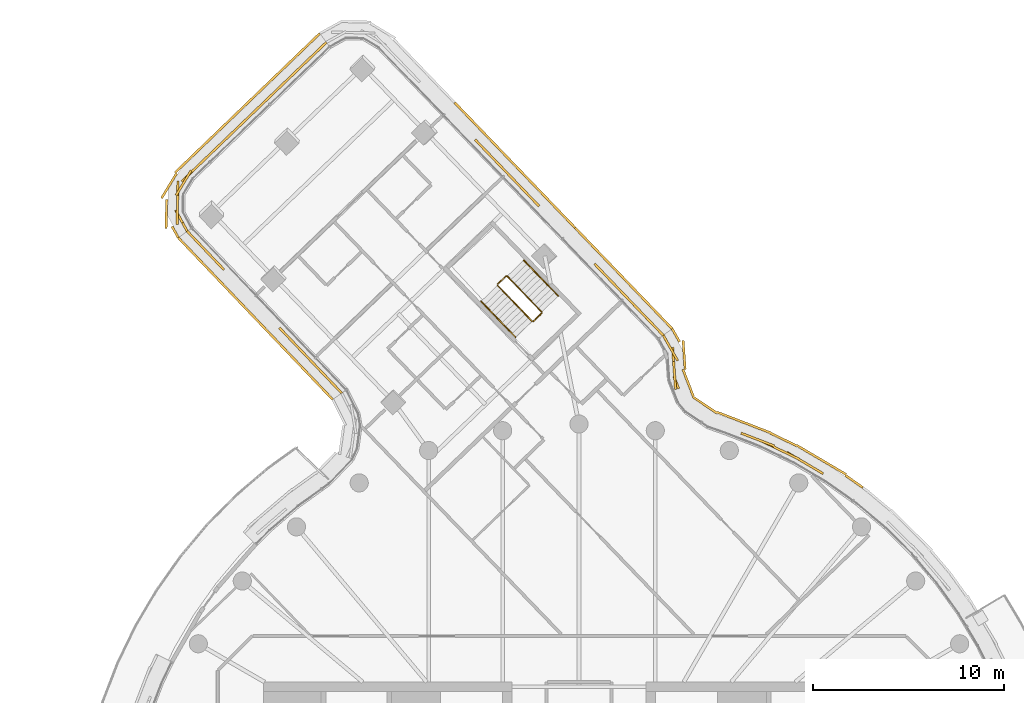
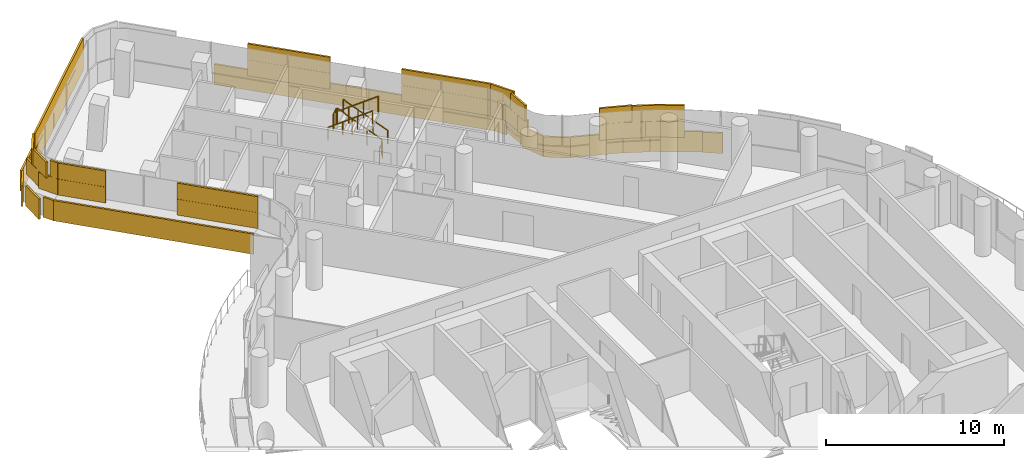
# One storey, part 32 of 34: 6 railings, 5 coverings.
"""IFC4 building model written with IfcOpenShell, lengths in metres."""

import ifcopenshell
import ifcopenshell.guid

model = None  # the IFC model being written
_history = None  # IfcOwnerHistory: only IFC2X3 demands one
_inside = {}  # id of a spatial element -> (the spatial element, [elements in it])
_under = {}  # id of a project, library or spatial element -> (it, [spatial elements below it])
_declared = {}  # id of a project -> (the project, [libraries it declares])
_typed = {}  # id of a type object -> (the type object, [elements of that type])
_made_of = {}  # id of a material, layer set ... -> (it, [elements and type objects made of it])


def new_model(schema):
    """Start an empty IFC model of exactly this schema.

    Asked for "IFC4X3", IfcOpenShell would pick the latest addendum, in which some entities
    have other attributes; the version numbers below select the first issue.
    IFC2X3 requires an IfcOwnerHistory on every rooted entity: one is made here for all.
    """
    global model, _history
    if schema == "IFC4X3":
        model = ifcopenshell.file(schema_version=(4, 3, 0, 0))
    else:
        model = ifcopenshell.file(schema=schema)
    _inside.clear()
    _under.clear()
    _declared.clear()
    _typed.clear()
    _made_of.clear()
    _history = None
    if model.schema == "IFC2X3":
        org = make("IfcOrganization", Name="unknown")
        user = make(
            "IfcPersonAndOrganization",
            ThePerson=make("IfcPerson", FamilyName="unknown"),
            TheOrganization=org,
        )
        app = make(
            "IfcApplication",
            ApplicationDeveloper=org,
            Version="unknown",
            ApplicationFullName="unknown",
            ApplicationIdentifier="unknown",
        )
        _history = make(
            "IfcOwnerHistory",
            OwningUser=user,
            OwningApplication=app,
            ChangeAction="ADDED",
            CreationDate=0,
        )
    return model


def make(cls, **values):
    """One entity of the class cls with the attributes given. An attribute that is None is left unset."""
    return model.create_entity(
        cls, **{name: value for name, value in values.items() if value is not None}
    )


def rooted(cls, **values):
    """An entity with a GlobalId (a new one), such as an element, a storey or a relation."""
    return make(cls, GlobalId=ifcopenshell.guid.new(), OwnerHistory=_history, **values)


def si_unit(unit_type, name, prefix=None):
    """IfcSIUnit, for example si_unit("LENGTHUNIT", "METRE", prefix="MILLI")."""
    return make("IfcSIUnit", UnitType=unit_type, Prefix=prefix, Name=name)


def assignment(units):
    """IfcUnitAssignment: the units of a project."""
    return None if units is None else make("IfcUnitAssignment", Units=units)


def point(xyz):
    """IfcCartesianPoint."""
    return None if xyz is None else make("IfcCartesianPoint", Coordinates=xyz)


def direction(xyz):
    """IfcDirection."""
    return None if xyz is None else make("IfcDirection", DirectionRatios=xyz)


def frame(location, z_axis=None, x_axis=None):
    """IfcAxis2Placement3D, a coordinate frame: its origin and axes. An axis left out is left unset."""
    return make(
        "IfcAxis2Placement3D",
        Location=point(location),
        Axis=direction(z_axis),
        RefDirection=direction(x_axis),
    )


def frame_2d(location, x_axis=None):
    """IfcAxis2Placement2D, a coordinate frame in the plane: its origin and x axis."""
    return make(
        "IfcAxis2Placement2D", Location=point(location), RefDirection=direction(x_axis)
    )


def origin():
    """The frame at (0, 0, 0) with its axes left unset."""
    return frame((0.0, 0.0, 0.0))


def origin_2d():
    """The frame at (0, 0) in the plane with its x axis left unset."""
    return frame_2d((0.0, 0.0))


def place(relative_to, where):
    """IfcLocalPlacement: puts the frame where relative to a parent placement (None: the world)."""
    return make(
        "IfcLocalPlacement", PlacementRelTo=relative_to, RelativePlacement=where
    )


def context(
    kind, dimensions, precision=None, world=None, true_north=None, identifier=None
):
    """IfcGeometricRepresentationContext, for example the 3D "Model" context."""
    return make(
        "IfcGeometricRepresentationContext",
        ContextIdentifier=identifier,
        ContextType=kind,
        CoordinateSpaceDimension=dimensions,
        Precision=precision,
        WorldCoordinateSystem=world,
        TrueNorth=true_north,
    )


def subcontext(parent, identifier, kind, view, scale=None):
    """IfcGeometricRepresentationSubContext, for example "Body" below "Model"."""
    return make(
        "IfcGeometricRepresentationSubContext",
        ContextIdentifier=identifier,
        ContextType=kind,
        ParentContext=parent,
        TargetScale=scale,
        TargetView=view,
    )


def project(units=None, contexts=None):
    """IfcProject with its units and contexts."""
    return rooted(
        "IfcProject",
        Name="project",
        RepresentationContexts=contexts,
        UnitsInContext=assignment(units),
    )


def spatial(cls, under=None, at=None, **own):
    """A site, building, storey or space (cls), placed at a placement, below another one or the project."""
    s = rooted(cls, ObjectPlacement=at, **own)
    if under is not None:
        _under.setdefault(under.id(), (under, []))[1].append(s)
    return s


def profile(cls, at=None, kind="AREA", **sizes):
    """A parametric profile (cls). Its sizes go by their IFC names, for example OverallWidth=200.0."""
    return make(cls, ProfileType=kind, Position=at, **sizes)


def rectangle(**sizes):
    """IfcRectangleProfileDef."""
    return profile("IfcRectangleProfileDef", **sizes)


def circle(**sizes):
    """IfcCircleProfileDef."""
    return profile("IfcCircleProfileDef", **sizes)


def extrude(swept, where, along, depth):
    """IfcExtrudedAreaSolid: the profile swept, set in the frame where, extruded along a direction by depth."""
    return make(
        "IfcExtrudedAreaSolid",
        SweptArea=swept,
        Position=where,
        ExtrudedDirection=direction(along),
        Depth=depth,
    )


def shape(context_of_items, identifier, shape_type, items):
    """IfcShapeRepresentation: the items that make up one representation, for example the "Body"."""
    return make(
        "IfcShapeRepresentation",
        ContextOfItems=context_of_items,
        RepresentationIdentifier=identifier,
        RepresentationType=shape_type,
        Items=items,
    )


def material(Name=None, Category=None):
    """IfcMaterial."""
    return make("IfcMaterial", Name=Name, Category=Category)


def layer(
    of_material, thickness, ventilated=None, Name=None, Category=None, Priority=None
):
    """IfcMaterialLayer: one layer of a wall or slab, of a material (None: an air gap)."""
    return make(
        "IfcMaterialLayer",
        Material=of_material,
        LayerThickness=thickness,
        IsVentilated=ventilated,
        Name=Name,
        Category=Category,
        Priority=Priority,
    )


def layer_set(layers, Name=None):
    """IfcMaterialLayerSet."""
    return make("IfcMaterialLayerSet", MaterialLayers=layers, LayerSetName=Name)


def made_of(thing, what):
    """Note that an element or type object is made of a material, layer set ...; save() writes the relation."""
    if what is not None:
        _made_of.setdefault(what.id(), (what, []))[1].append(thing)
    return thing


def type_object(cls, material=None, **own):
    """A type object (cls), such as IfcWallType, which elements share."""
    return made_of(rooted(cls, **own), material)


def element(
    cls,
    number,
    at=None,
    inside=None,
    cuts=None,
    type_object=None,
    material=None,
    context=None,
    identifier="Body",
    shape_type=None,
    held_by="IfcProductDefinitionShape",
    body=None,
    shapes=None,
    **own,
):
    """One element of the class cls, such as IfcWall. Its Tag is "e" and its number.

    at: its placement. inside: the storey or other place that contains it. cuts: it is an
    opening in that element (IfcRelVoidsElement). A single representation is given by context,
    identifier, shape_type and body (its items); several are given by shapes. held_by: the class
    of the entity that holds the representations. save() writes the other relations.
    """
    e = rooted(cls, Tag="e%d" % number, ObjectPlacement=at, **own)
    if body is not None:
        shapes = [shape(context, identifier, shape_type, body)]
    if shapes is not None:
        e.Representation = make(held_by, Representations=shapes)
    if inside is not None:
        _inside.setdefault(inside.id(), (inside, []))[1].append(e)
    if cuts is not None:
        rooted(
            "IfcRelVoidsElement", RelatingBuildingElement=cuts, RelatedOpeningElement=e
        )
    if type_object is not None:
        _typed.setdefault(type_object.id(), (type_object, []))[1].append(e)
    return made_of(e, material)


def aggregate(whole, parts):
    """IfcRelAggregates: a whole, such as a stair, and the parts it consists of."""
    return rooted("IfcRelAggregates", RelatingObject=whole, RelatedObjects=parts)


def save(model, path):
    """Write the relations noted so far, then the file.

    IfcRelAggregates (storeys below a building ...), IfcRelContainedInSpatialStructure (elements
    in a storey), IfcRelDefinesByType, IfcRelAssociatesMaterial and IfcRelDeclares: one each for
    every whole, place, type object, material and project.
    """
    for whole, parts in _under.values():
        aggregate(whole, parts)
    for where, things in _inside.values():
        rooted(
            "IfcRelContainedInSpatialStructure",
            RelatedElements=things,
            RelatingStructure=where,
        )
    for kind, things in _typed.values():
        rooted("IfcRelDefinesByType", RelatedObjects=things, RelatingType=kind)
    for what, things in _made_of.values():
        rooted("IfcRelAssociatesMaterial", RelatedObjects=things, RelatingMaterial=what)
    for by, libraries in _declared.values():
        rooted("IfcRelDeclares", RelatingContext=by, RelatedDefinitions=libraries)
    model.write(path)


model = new_model("IFC4")

# Units and contexts
model_context = context("Model", 3, precision=1e-05, world=origin(), true_north=direction((0.0, 1.0)))
body_context = subcontext(model_context, "Body", "Model", "MODEL_VIEW")
ifc_project = project(units=[si_unit("LENGTHUNIT", "METRE"), si_unit("AREAUNIT", "SQUARE_METRE"), si_unit("VOLUMEUNIT", "CUBIC_METRE"), si_unit("PLANEANGLEUNIT", "RADIAN"), si_unit("MASSUNIT", "GRAM", prefix="KILO")], contexts=[model_context])

# Site, building, storey
site_placement = place(None, origin())
site = spatial("IfcSite", under=ifc_project, at=site_placement, CompositionType="ELEMENT")
building_placement = place(site_placement, origin())
building = spatial("IfcBuilding", under=site, at=building_placement, Name="Tamarind Cross Interchange Tower", CompositionType="ELEMENT")
storey_placement = place(building_placement, frame((0.0, 0.0, 193.300048828125)))
storey = spatial("IfcBuildingStorey", under=building, at=storey_placement, Name="L48", CompositionType="ELEMENT", Elevation=193.300048828125)

# Railings
ifc_material_1 = material(Name="Stair guard")
railing_type_1 = type_object("IfcRailingType", Name="Stair guard", PredefinedType="GUARDRAIL", material=ifc_material_1)
railing_1_placement = place(storey_placement, frame((-1.952392578125, 28.863037109375, 0.16357421875)))
element("IfcRailing", 1, at=railing_1_placement, inside=storey, type_object=railing_type_1, Name="L48 ST4 stair guard 1", PredefinedType="GUARDRAIL", context=body_context, shape_type="SweptSolid", body=[
    extrude(circle(Radius=0.02392578125, at=origin_2d()), frame((0.0, 0.0, 1.076171875), z_axis=(-0.586640057014, 0.610003938993, 0.532680615303), x_axis=(-0.720775322287, -0.693168763565, 0.0)), (0.0, 0.0, 1.0), 3.072265625),
    extrude(circle(Radius=0.02099609375, at=origin_2d()), origin(), (0.0, 0.0, 1.0), 1.052001953125),
    extrude(circle(Radius=0.02099609375, at=origin_2d()), frame((-0.600830078125, 0.624755859375, 0.54541015625)), (0.0, 0.0, 1.0), 1.052001953125),
    extrude(circle(Radius=0.02099609375, at=origin_2d()), frame((-1.201416015625, 1.249267578125, 1.091064453125)), (0.0, 0.0, 1.0), 1.052001953125),
    extrude(circle(Radius=0.02099609375, at=origin_2d()), frame((-1.80224609375, 1.8740234375, 1.636474609375)), (0.0, 0.0, 1.0), 1.052001953125),
])
railing_2_placement = place(storey_placement, frame((-3.825439453125, 30.73828125, 1.800048828125)))
element("IfcRailing", 2, at=railing_2_placement, inside=storey, type_object=railing_type_1, Name="L48 ST4 stair guard 2", PredefinedType="GUARDRAIL", context=body_context, shape_type="SweptSolid", body=[
    extrude(circle(Radius=0.02392578125, at=origin_2d()), frame((0.0, 0.0, 1.076171875), z_axis=(-0.720809601358, -0.693133117511, 0.0), x_axis=(0.693133117511, -0.720809601358, 0.0)), (0.0, 0.0, 1.0), 0.599853515625),
    extrude(circle(Radius=0.02099609375, at=origin_2d()), origin(), (0.0, 0.0, 1.0), 1.052001953125),
    extrude(circle(Radius=0.02099609375, at=origin_2d()), frame((-0.432373046875, -0.415771484375, 0.0)), (0.0, 0.0, 1.0), 1.052001953125),
])
railing_3_placement = place(storey_placement, frame((-4.25927734375, 30.251708984375, 1.963623046875)))
element("IfcRailing", 3, at=railing_3_placement, inside=storey, type_object=railing_type_1, Name="L48 ST4 stair guard 3", PredefinedType="GUARDRAIL", context=body_context, shape_type="SweptSolid", body=[
    extrude(circle(Radius=0.02392578125, at=origin_2d()), frame((0.0, 0.0, 1.076171875), z_axis=(0.586664890144, -0.610029761142, 0.532623691919), x_axis=(0.720775322287, 0.693168763565, 0.0)), (0.0, 0.0, 1.0), 3.072021484375),
    extrude(circle(Radius=0.02099609375, at=origin_2d()), origin(), (0.0, 0.0, 1.0), 1.052001953125),
    extrude(circle(Radius=0.02099609375, at=origin_2d()), frame((0.600830078125, -0.624755859375, 0.54541015625)), (0.0, 0.0, 1.0), 1.052001953125),
    extrude(circle(Radius=0.02099609375, at=origin_2d()), frame((1.201416015625, -1.249267578125, 1.0908203125)), (0.0, 0.0, 1.0), 1.052001953125),
    extrude(circle(Radius=0.02099609375, at=origin_2d()), frame((1.80224609375, -1.8740234375, 1.63623046875)), (0.0, 0.0, 1.0), 1.052001953125),
])
railing_4_placement = place(storey_placement, frame((-1.953857421875, 28.792236328125, 0.0)))
element("IfcRailing", 4, at=railing_4_placement, inside=storey, type_object=railing_type_1, Name="L48 ST4 stair guard 4", PredefinedType="GUARDRAIL", context=body_context, shape_type="SweptSolid", body=[
    extrude(circle(Radius=0.02392578125, at=origin_2d()), frame((0.0, 0.0, 1.076171875), z_axis=(-0.720809601358, -0.693133117511, 0.0), x_axis=(0.693133117511, -0.720809601358, 0.0)), (0.0, 0.0, 1.0), 0.599853515625),
    extrude(circle(Radius=0.02099609375, at=origin_2d()), origin(), (0.0, 0.0, 1.0), 1.052001953125),
    extrude(circle(Radius=0.02099609375, at=origin_2d()), frame((-0.432373046875, -0.415771484375, 0.0)), (0.0, 0.0, 1.0), 1.052001953125),
])
ifc_material_2 = material(Name="Stair handrail")
railing_type_2 = type_object("IfcRailingType", Name="Stair handrail", PredefinedType="HANDRAIL", material=ifc_material_2)
railing_5_placement = place(storey_placement, frame((-1.08740234375, 29.69482421875, 0.16357421875)))
element("IfcRailing", 5, at=railing_5_placement, inside=storey, type_object=railing_type_2, Name="L48 ST4 stair handrail 1", PredefinedType="HANDRAIL", context=body_context, shape_type="SweptSolid", body=[
    extrude(circle(Radius=0.02392578125, at=origin_2d()), frame((0.0, 0.0, 0.8759765625), z_axis=(-0.586640057014, 0.610003938993, 0.532680615303), x_axis=(-0.720775322287, -0.693168763565, 0.0)), (0.0, 0.0, 1.0), 3.072265625),
    extrude(circle(Radius=0.02099609375, at=origin_2d()), origin(), (0.0, 0.0, 1.0), 0.851806640625),
    extrude(circle(Radius=0.02099609375, at=origin_2d()), frame((-0.600830078125, 0.624755859375, 0.54541015625)), (0.0, 0.0, 1.0), 0.851806640625),
    extrude(circle(Radius=0.02099609375, at=origin_2d()), frame((-1.201416015625, 1.249267578125, 1.091064453125)), (0.0, 0.0, 1.0), 0.851806640625),
    extrude(circle(Radius=0.02099609375, at=origin_2d()), frame((-1.80224609375, 1.8740234375, 1.636474609375)), (0.0, 0.0, 1.0), 0.851806640625),
])
railing_6_placement = place(storey_placement, frame((-5.1240234375, 29.419921875, 1.963623046875)))
element("IfcRailing", 6, at=railing_6_placement, inside=storey, type_object=railing_type_2, Name="L48 ST4 stair handrail 2", PredefinedType="HANDRAIL", context=body_context, shape_type="SweptSolid", body=[
    extrude(circle(Radius=0.02392578125, at=origin_2d()), frame((0.0, 0.0, 0.8759765625), z_axis=(0.586664890144, -0.610029761142, 0.532623691919), x_axis=(0.720775322287, 0.693168763565, 0.0)), (0.0, 0.0, 1.0), 3.072021484375),
    extrude(circle(Radius=0.02099609375, at=origin_2d()), origin(), (0.0, 0.0, 1.0), 0.851806640625),
    extrude(circle(Radius=0.02099609375, at=origin_2d()), frame((0.600830078125, -0.624755859375, 0.54541015625)), (0.0, 0.0, 1.0), 0.851806640625),
    extrude(circle(Radius=0.02099609375, at=origin_2d()), frame((1.201416015625, -1.249267578125, 1.0908203125)), (0.0, 0.0, 1.0), 0.851806640625),
    extrude(circle(Radius=0.02099609375, at=origin_2d()), frame((1.80224609375, -1.8740234375, 1.63623046875)), (0.0, 0.0, 1.0), 0.851806640625),
])

# Coverings
ifc_material_3 = material(Name="Terracotta", Category="masonry")
ifc_layer = layer(ifc_material_3, 0.1201171875)
ifc_layer_set = layer_set([ifc_layer], Name="Terracotta")
covering_type = type_object("IfcCoveringType", Name="Terracotta baguette screen unit", PredefinedType="MOLDING", material=ifc_layer_set)
covering_1_placement = place(storey_placement, origin())
element("IfcCovering", 7, at=covering_1_placement, inside=storey, type_object=covering_type, Name="SCR-L48-06-05", PredefinedType="MOLDING", context=body_context, shape_type="SweptSolid", body=[
    extrude(rectangle(XDim=0.696533203125, YDim=0.1201171875, at=origin_2d()), frame((12.4775390625, 20.580078125, 1.40380859375), z_axis=(0.0, 0.0, 1.0), x_axis=(-0.861248933065, 0.508183308752, 0.0)), (0.0, 0.0, 1.0), 1.092041015625),
    extrude(rectangle(XDim=1.52001953125, YDim=0.1201171875, at=origin_2d()), frame((11.535888671875, 21.1357421875, 1.40380859375), z_axis=(0.0, 0.0, 1.0), x_axis=(-0.861248933065, 0.508183308752, 0.0)), (0.0, 0.0, 1.0), 1.092041015625),
    extrude(rectangle(XDim=1.52001953125, YDim=0.1201171875, at=origin_2d()), frame((10.193115234375, 21.802490234375, 1.40380859375), z_axis=(0.0, 0.0, 1.0), x_axis=(-0.900272776334, 0.435326231914, 0.0)), (0.0, 0.0, 1.0), 1.092041015625),
    extrude(rectangle(XDim=1.115478515625, YDim=0.1201171875, at=origin_2d()), frame((8.999755859375, 22.322509765625, 1.40380859375), z_axis=(0.0, 0.0, 1.0), x_axis=(-0.933146843667, 0.359495435512, 0.0)), (0.0, 0.0, 1.0), 1.092041015625),
    extrude(rectangle(XDim=0.70458984375, YDim=0.1201171875, at=origin_2d()), frame((5.087890625, 25.1767578125, 1.40380859375), z_axis=(0.0, 0.0, 1.0), x_axis=(-0.360832415661, 0.932630670635, 0.0)), (0.0, 0.0, 1.0), 1.092041015625),
    extrude(rectangle(XDim=1.52001953125, YDim=0.1201171875, at=origin_2d()), frame((4.951416015625, 26.25830078125, 1.40380859375), z_axis=(0.0, 0.0, 1.0), x_axis=(-0.071577374137, 0.997435050272, 0.0)), (0.0, 0.0, 1.0), 1.092041015625),
    extrude(rectangle(XDim=0.77734375, YDim=0.1201171875, at=origin_2d()), frame((4.60009765625, 27.307373046875, 1.40380859375), z_axis=(0.0, 0.0, 1.0), x_axis=(-0.4922323069, 0.87046387406, 0.0)), (0.0, 0.0, 1.0), 1.092041015625),
    extrude(rectangle(XDim=1.446533203125, YDim=0.1201171875, at=origin_2d()), frame((12.154541015625, 20.770751953125, 2.50390625), z_axis=(0.0, 0.0, 1.0), x_axis=(-0.861248933065, 0.508183308752, 0.0)), (0.0, 0.0, 1.0), 1.092041015625),
    extrude(rectangle(XDim=1.52001953125, YDim=0.1201171875, at=origin_2d()), frame((10.8681640625, 21.47607421875, 2.50390625), z_axis=(0.0, 0.0, 1.0), x_axis=(-0.900272776334, 0.435326231914, 0.0)), (0.0, 0.0, 1.0), 1.092041015625),
    extrude(rectangle(XDim=1.52001953125, YDim=0.1201171875, at=origin_2d()), frame((9.515625, 22.123779296875, 2.50390625), z_axis=(0.0, 0.0, 1.0), x_axis=(-0.933146843667, 0.359495435512, 0.0)), (0.0, 0.0, 1.0), 1.092041015625),
    extrude(rectangle(XDim=0.365478515625, YDim=0.1201171875, at=origin_2d()), frame((8.64990234375, 22.457275390625, 2.50390625), z_axis=(0.0, 0.0, 1.0), x_axis=(-0.933146843667, 0.359495435512, 0.0)), (0.0, 0.0, 1.0), 1.092041015625),
    extrude(rectangle(XDim=1.45458984375, YDim=0.1201171875, at=origin_2d()), frame((5.003173828125, 25.537841796875, 2.50390625), z_axis=(0.0, 0.0, 1.0), x_axis=(-0.071577374137, 0.997435050272, 0.0)), (0.0, 0.0, 1.0), 1.092041015625),
    extrude(rectangle(XDim=1.52001953125, YDim=0.1201171875, at=origin_2d()), frame((4.7890625, 26.973388671875, 2.50390625), z_axis=(0.0, 0.0, 1.0), x_axis=(-0.4922323069, 0.87046387406, 0.0)), (0.0, 0.0, 1.0), 1.092041015625),
    extrude(rectangle(XDim=1.124267578125, YDim=0.1201171875, at=origin_2d()), frame((14.390869140625, 20.001220703125, 0.00390625), z_axis=(0.0, 0.0, 1.0), x_axis=(-0.816341886298, 0.577568978284, 0.0)), (0.0, 0.0, 1.0), 1.39208984375),
    extrude(rectangle(XDim=1.52001953125, YDim=0.1201171875, at=origin_2d()), frame((13.323974609375, 20.7470703125, 0.00390625), z_axis=(0.0, 0.0, 1.0), x_axis=(-0.861248933065, 0.508183308752, 0.0)), (0.0, 0.0, 1.0), 1.39208984375),
    extrude(rectangle(XDim=1.52001953125, YDim=0.1201171875, at=origin_2d()), frame((12.031982421875, 21.509521484375, 0.00390625), z_axis=(0.0, 0.0, 1.0), x_axis=(-0.861248933065, 0.508183308752, 0.0)), (0.0, 0.0, 1.0), 1.39208984375),
    extrude(rectangle(XDim=1.52001953125, YDim=0.1201171875, at=origin_2d()), frame((10.69921875, 22.1953125, 0.00390625), z_axis=(0.0, 0.0, 1.0), x_axis=(-0.900272776334, 0.435326231914, 0.0)), (0.0, 0.0, 1.0), 1.39208984375),
    extrude(rectangle(XDim=1.52001953125, YDim=0.1201171875, at=origin_2d()), frame((9.33203125, 22.8095703125, 0.00390625), z_axis=(0.0, 0.0, 1.0), x_axis=(-0.933146843667, 0.359495435512, 0.0)), (0.0, 0.0, 1.0), 1.39208984375),
    extrude(rectangle(XDim=1.52001953125, YDim=0.1201171875, at=origin_2d()), frame((7.932373046875, 23.348876953125, 0.00390625), z_axis=(0.0, 0.0, 1.0), x_axis=(-0.933146843667, 0.359495435512, 0.0)), (0.0, 0.0, 1.0), 1.39208984375),
    extrude(rectangle(XDim=1.52001953125, YDim=0.1201171875, at=origin_2d()), frame((6.591552734375, 23.99462890625, 0.00390625), z_axis=(0.0, 0.0, 1.0), x_axis=(-0.829016203215, 0.559224583515, 0.0)), (0.0, 0.0, 1.0), 1.39208984375),
    extrude(rectangle(XDim=1.52001953125, YDim=0.1201171875, at=origin_2d()), frame((5.714599609375, 25.148193359375, 0.00390625), z_axis=(0.0, 0.0, 1.0), x_axis=(-0.360832415661, 0.932630670635, 0.0)), (0.0, 0.0, 1.0), 1.39208984375),
    extrude(rectangle(XDim=1.52001953125, YDim=0.1201171875, at=origin_2d()), frame((5.5009765625, 26.620361328125, 0.00390625), z_axis=(0.0, 0.0, 1.0), x_axis=(-0.071577374137, 0.997435050272, 0.0)), (0.0, 0.0, 1.0), 1.39208984375),
    extrude(rectangle(XDim=0.786376953125, YDim=0.1201171875, at=origin_2d()), frame((5.06884765625, 27.644775390625, 0.00390625), z_axis=(0.0, 0.0, 1.0), x_axis=(-0.4922323069, 0.87046387406, 0.0)), (0.0, 0.0, 1.0), 1.39208984375),
])
covering_2_placement = place(storey_placement, origin())
element("IfcCovering", 8, at=covering_2_placement, inside=storey, type_object=covering_type, Name="SCR-L48-07-00", PredefinedType="MOLDING", context=body_context, shape_type="SweptSolid", body=[
    extrude(rectangle(XDim=1.510009765625, YDim=0.1201171875, at=origin_2d()), frame((3.891357421875, 28.181884765625, 1.40380859375), z_axis=(0.0, 0.0, 1.0), x_axis=(-0.69317039432, 0.720773753988, 0.0)), (0.0, 0.0, 1.0), 1.092041015625),
    extrude(rectangle(XDim=1.52001953125, YDim=0.1201171875, at=origin_2d()), frame((2.8515625, 29.26318359375, 1.40380859375), z_axis=(0.0, 0.0, 1.0), x_axis=(-0.69317039432, 0.720773753988, 0.0)), (0.0, 0.0, 1.0), 1.092041015625),
    extrude(rectangle(XDim=1.52001953125, YDim=0.1201171875, at=origin_2d()), frame((1.81201171875, 30.34423828125, 1.40380859375), z_axis=(0.0, 0.0, 1.0), x_axis=(-0.69317039432, 0.720773753988, 0.0)), (0.0, 0.0, 1.0), 1.092041015625),
    extrude(rectangle(XDim=0.6982421875, YDim=0.1201171875, at=origin_2d()), frame((1.053466796875, 31.1328125, 1.40380859375), z_axis=(0.0, 0.0, 1.0), x_axis=(-0.69317039432, 0.720773753988, 0.0)), (0.0, 0.0, 1.0), 1.092041015625),
    extrude(rectangle(XDim=0.760009765625, YDim=0.1201171875, at=origin_2d()), frame((4.1513671875, 27.91162109375, 2.50390625), z_axis=(0.0, 0.0, 1.0), x_axis=(-0.69317039432, 0.720773753988, 0.0)), (0.0, 0.0, 1.0), 1.092041015625),
    extrude(rectangle(XDim=1.52001953125, YDim=0.1201171875, at=origin_2d()), frame((3.37158203125, 28.72265625, 2.50390625), z_axis=(0.0, 0.0, 1.0), x_axis=(-0.69317039432, 0.720773753988, 0.0)), (0.0, 0.0, 1.0), 1.092041015625),
    extrude(rectangle(XDim=1.52001953125, YDim=0.1201171875, at=origin_2d()), frame((2.331787109375, 29.8037109375, 2.50390625), z_axis=(0.0, 0.0, 1.0), x_axis=(-0.69317039432, 0.720773753988, 0.0)), (0.0, 0.0, 1.0), 1.092041015625),
    extrude(rectangle(XDim=1.4482421875, YDim=0.1201171875, at=origin_2d()), frame((1.3134765625, 30.862548828125, 2.50390625), z_axis=(0.0, 0.0, 1.0), x_axis=(-0.69317039432, 0.720773753988, 0.0)), (0.0, 0.0, 1.0), 1.092041015625),
    extrude(rectangle(XDim=1.510009765625, YDim=0.1201171875, at=origin_2d()), frame((4.351806640625, 28.53125, 0.00390625), z_axis=(0.0, 0.0, 1.0), x_axis=(-0.69317039432, 0.720773753988, 0.0)), (0.0, 0.0, 1.0), 1.39208984375),
    extrude(rectangle(XDim=1.52001953125, YDim=0.1201171875, at=origin_2d()), frame((3.315673828125, 29.60888671875, 0.00390625), z_axis=(0.0, 0.0, 1.0), x_axis=(-0.69317039432, 0.720773753988, 0.0)), (0.0, 0.0, 1.0), 1.39208984375),
    extrude(rectangle(XDim=1.52001953125, YDim=0.1201171875, at=origin_2d()), frame((2.27587890625, 30.68994140625, 0.00390625), z_axis=(0.0, 0.0, 1.0), x_axis=(-0.69317039432, 0.720773753988, 0.0)), (0.0, 0.0, 1.0), 1.39208984375),
    extrude(rectangle(XDim=1.52001953125, YDim=0.1201171875, at=origin_2d()), frame((1.236083984375, 31.77099609375, 0.00390625), z_axis=(0.0, 0.0, 1.0), x_axis=(-0.69317039432, 0.720773753988, 0.0)), (0.0, 0.0, 1.0), 1.39208984375),
    extrude(rectangle(XDim=1.34912109375, YDim=0.1201171875, at=origin_2d()), frame((0.255615234375, 32.790771484375, 0.00390625), z_axis=(0.0, 0.0, 1.0), x_axis=(-0.69317039432, 0.720773753988, 0.0)), (0.0, 0.0, 1.0), 1.39208984375),
])
covering_3_placement = place(storey_placement, origin())
element("IfcCovering", 9, at=covering_3_placement, inside=storey, type_object=covering_type, Name="SCR-L48-07-01", PredefinedType="MOLDING", context=body_context, shape_type="SweptSolid", body=[
    extrude(rectangle(XDim=1.121826171875, YDim=0.1201171875, at=origin_2d()), frame((-2.481689453125, 34.808837890625, 1.40380859375), z_axis=(0.0, 0.0, 1.0), x_axis=(-0.69317039432, 0.720773753988, 0.0)), (0.0, 0.0, 1.0), 1.092041015625),
    extrude(rectangle(XDim=1.52001953125, YDim=0.1201171875, at=origin_2d()), frame((-3.386962890625, 35.75, 1.40380859375), z_axis=(0.0, 0.0, 1.0), x_axis=(-0.69317039432, 0.720773753988, 0.0)), (0.0, 0.0, 1.0), 1.092041015625),
    extrude(rectangle(XDim=1.52001953125, YDim=0.1201171875, at=origin_2d()), frame((-4.426513671875, 36.831298828125, 1.40380859375), z_axis=(0.0, 0.0, 1.0), x_axis=(-0.69317039432, 0.720773753988, 0.0)), (0.0, 0.0, 1.0), 1.092041015625),
    extrude(rectangle(XDim=0.7080078125, YDim=0.1201171875, at=origin_2d()), frame((-5.1884765625, 37.62353515625, 1.40380859375), z_axis=(0.0, 0.0, 1.0), x_axis=(-0.69317039432, 0.720773753988, 0.0)), (0.0, 0.0, 1.0), 1.092041015625),
    extrude(rectangle(XDim=0.371826171875, YDim=0.1201171875, at=origin_2d()), frame((-2.2216796875, 34.53857421875, 2.50390625), z_axis=(0.0, 0.0, 1.0), x_axis=(-0.69317039432, 0.720773753988, 0.0)), (0.0, 0.0, 1.0), 1.092041015625),
    extrude(rectangle(XDim=1.52001953125, YDim=0.1201171875, at=origin_2d()), frame((-2.866943359375, 35.20947265625, 2.50390625), z_axis=(0.0, 0.0, 1.0), x_axis=(-0.69317039432, 0.720773753988, 0.0)), (0.0, 0.0, 1.0), 1.092041015625),
    extrude(rectangle(XDim=1.52001953125, YDim=0.1201171875, at=origin_2d()), frame((-3.90673828125, 36.290771484375, 2.50390625), z_axis=(0.0, 0.0, 1.0), x_axis=(-0.69317039432, 0.720773753988, 0.0)), (0.0, 0.0, 1.0), 1.092041015625),
    extrude(rectangle(XDim=1.4580078125, YDim=0.1201171875, at=origin_2d()), frame((-4.928466796875, 37.35302734375, 2.50390625), z_axis=(0.0, 0.0, 1.0), x_axis=(-0.69317039432, 0.720773753988, 0.0)), (0.0, 0.0, 1.0), 1.092041015625),
    extrude(rectangle(XDim=0.1708984375, YDim=0.1201171875, at=origin_2d()), frame((-0.271240234375, 33.33837890625, 0.00390625), z_axis=(0.0, 0.0, 1.0), x_axis=(-0.69317039432, 0.720773753988, 0.0)), (0.0, 0.0, 1.0), 1.39208984375),
    extrude(rectangle(XDim=1.52001953125, YDim=0.1201171875, at=origin_2d()), frame((-0.843505859375, 33.933349609375, 0.00390625), z_axis=(0.0, 0.0, 1.0), x_axis=(-0.69317039432, 0.720773753988, 0.0)), (0.0, 0.0, 1.0), 1.39208984375),
    extrude(rectangle(XDim=1.52001953125, YDim=0.1201171875, at=origin_2d()), frame((-1.883056640625, 35.0146484375, 0.00390625), z_axis=(0.0, 0.0, 1.0), x_axis=(-0.69317039432, 0.720773753988, 0.0)), (0.0, 0.0, 1.0), 1.39208984375),
    extrude(rectangle(XDim=1.52001953125, YDim=0.1201171875, at=origin_2d()), frame((-2.9228515625, 36.095703125, 0.00390625), z_axis=(0.0, 0.0, 1.0), x_axis=(-0.69317039432, 0.720773753988, 0.0)), (0.0, 0.0, 1.0), 1.39208984375),
    extrude(rectangle(XDim=1.52001953125, YDim=0.1201171875, at=origin_2d()), frame((-3.962646484375, 37.177001953125, 0.00390625), z_axis=(0.0, 0.0, 1.0), x_axis=(-0.69317039432, 0.720773753988, 0.0)), (0.0, 0.0, 1.0), 1.39208984375),
    extrude(rectangle(XDim=1.52001953125, YDim=0.1201171875, at=origin_2d()), frame((-5.00244140625, 38.258056640625, 0.00390625), z_axis=(0.0, 0.0, 1.0), x_axis=(-0.69317039432, 0.720773753988, 0.0)), (0.0, 0.0, 1.0), 1.39208984375),
    extrude(rectangle(XDim=1.421875, YDim=0.1201171875, at=origin_2d()), frame((-6.008056640625, 39.303955078125, 0.00390625), z_axis=(0.0, 0.0, 1.0), x_axis=(-0.69317039432, 0.720773753988, 0.0)), (0.0, 0.0, 1.0), 1.39208984375),
])
covering_4_placement = place(storey_placement, origin())
element("IfcCovering", 10, at=covering_4_placement, inside=storey, type_object=covering_type, Name="SCR-L48-08-00", PredefinedType="MOLDING", context=body_context, shape_type="SweptSolid", body=[
    extrude(rectangle(XDim=1.510009765625, YDim=0.1201171875, at=origin_2d()), frame((-13.758056640625, 42.454345703125, 1.40380859375), z_axis=(0.0, 0.0, 1.0), x_axis=(-0.720773753988, -0.69317039432, 0.0)), (0.0, 0.0, 1.0), 1.092041015625),
    extrude(rectangle(XDim=1.52001953125, YDim=0.1201171875, at=origin_2d()), frame((-14.83935546875, 41.41455078125, 1.40380859375), z_axis=(0.0, 0.0, 1.0), x_axis=(-0.720773753988, -0.69317039432, 0.0)), (0.0, 0.0, 1.0), 1.092041015625),
    extrude(rectangle(XDim=1.52001953125, YDim=0.1201171875, at=origin_2d()), frame((-15.92041015625, 40.374755859375, 1.40380859375), z_axis=(0.0, 0.0, 1.0), x_axis=(-0.720773753988, -0.69317039432, 0.0)), (0.0, 0.0, 1.0), 1.092041015625),
    extrude(rectangle(XDim=1.52001953125, YDim=0.1201171875, at=origin_2d()), frame((-17.00146484375, 39.3349609375, 1.40380859375), z_axis=(0.0, 0.0, 1.0), x_axis=(-0.720773753988, -0.69317039432, 0.0)), (0.0, 0.0, 1.0), 1.092041015625),
    extrude(rectangle(XDim=1.52001953125, YDim=0.1201171875, at=origin_2d()), frame((-18.082763671875, 38.29541015625, 1.40380859375), z_axis=(0.0, 0.0, 1.0), x_axis=(-0.720773753988, -0.69317039432, 0.0)), (0.0, 0.0, 1.0), 1.092041015625),
    extrude(rectangle(XDim=1.52001953125, YDim=0.1201171875, at=origin_2d()), frame((-19.163818359375, 37.255615234375, 1.40380859375), z_axis=(0.0, 0.0, 1.0), x_axis=(-0.720773753988, -0.69317039432, 0.0)), (0.0, 0.0, 1.0), 1.092041015625),
    extrude(rectangle(XDim=1.52001953125, YDim=0.1201171875, at=origin_2d()), frame((-20.2451171875, 36.2158203125, 1.40380859375), z_axis=(0.0, 0.0, 1.0), x_axis=(-0.720773753988, -0.69317039432, 0.0)), (0.0, 0.0, 1.0), 1.092041015625),
    extrude(rectangle(XDim=1.52001953125, YDim=0.1201171875, at=origin_2d()), frame((-20.9990234375, 34.953857421875, 1.40380859375), z_axis=(0.0, 0.0, 1.0), x_axis=(-0.019518522804, -0.999809495488, 0.0)), (0.0, 0.0, 1.0), 1.092041015625),
    extrude(rectangle(XDim=1.259521484375, YDim=0.1201171875, at=origin_2d()), frame((-20.801513671875, 33.634765625, 1.40380859375), z_axis=(0.0, 0.0, 1.0), x_axis=(0.483001211151, -0.875619683439, 0.0)), (0.0, 0.0, 1.0), 1.092041015625),
    extrude(rectangle(XDim=0.760009765625, YDim=0.1201171875, at=origin_2d()), frame((-13.48779296875, 42.71435546875, 2.50390625), z_axis=(0.0, 0.0, 1.0), x_axis=(-0.720773753988, -0.69317039432, 0.0)), (0.0, 0.0, 1.0), 1.092041015625),
    extrude(rectangle(XDim=1.52001953125, YDim=0.1201171875, at=origin_2d()), frame((-14.298583984375, 41.934326171875, 2.50390625), z_axis=(0.0, 0.0, 1.0), x_axis=(-0.720773753988, -0.69317039432, 0.0)), (0.0, 0.0, 1.0), 1.092041015625),
    extrude(rectangle(XDim=1.52001953125, YDim=0.1201171875, at=origin_2d()), frame((-15.3798828125, 40.894775390625, 2.50390625), z_axis=(0.0, 0.0, 1.0), x_axis=(-0.720773753988, -0.69317039432, 0.0)), (0.0, 0.0, 1.0), 1.092041015625),
    extrude(rectangle(XDim=1.52001953125, YDim=0.1201171875, at=origin_2d()), frame((-16.4609375, 39.85498046875, 2.50390625), z_axis=(0.0, 0.0, 1.0), x_axis=(-0.720773753988, -0.69317039432, 0.0)), (0.0, 0.0, 1.0), 1.092041015625),
    extrude(rectangle(XDim=1.52001953125, YDim=0.1201171875, at=origin_2d()), frame((-17.542236328125, 38.815185546875, 2.50390625), z_axis=(0.0, 0.0, 1.0), x_axis=(-0.720773753988, -0.69317039432, 0.0)), (0.0, 0.0, 1.0), 1.092041015625),
    extrude(rectangle(XDim=1.52001953125, YDim=0.1201171875, at=origin_2d()), frame((-18.623291015625, 37.775390625, 2.50390625), z_axis=(0.0, 0.0, 1.0), x_axis=(-0.720773753988, -0.69317039432, 0.0)), (0.0, 0.0, 1.0), 1.092041015625),
    extrude(rectangle(XDim=1.52001953125, YDim=0.1201171875, at=origin_2d()), frame((-19.70458984375, 36.735595703125, 2.50390625), z_axis=(0.0, 0.0, 1.0), x_axis=(-0.720773753988, -0.69317039432, 0.0)), (0.0, 0.0, 1.0), 1.092041015625),
    extrude(rectangle(XDim=1.52001953125, YDim=0.1201171875, at=origin_2d()), frame((-20.6884765625, 35.618408203125, 2.50390625), z_axis=(0.0, 0.0, 1.0), x_axis=(-0.516808284337, -0.856101160635, 0.0)), (0.0, 0.0, 1.0), 1.092041015625),
    extrude(rectangle(XDim=1.52001953125, YDim=0.1201171875, at=origin_2d()), frame((-21.013671875, 34.2041015625, 2.50390625), z_axis=(0.0, 0.0, 1.0), x_axis=(-0.019518522804, -0.999809495488, 0.0)), (0.0, 0.0, 1.0), 1.092041015625),
    extrude(rectangle(XDim=0.509521484375, YDim=0.1201171875, at=origin_2d()), frame((-20.620361328125, 33.306396484375, 2.50390625), z_axis=(0.0, 0.0, 1.0), x_axis=(0.483001211151, -0.875619683439, 0.0)), (0.0, 0.0, 1.0), 1.092041015625),
    extrude(rectangle(XDim=1.510009765625, YDim=0.1201171875, at=origin_2d()), frame((-14.105224609375, 42.9169921875, 0.00390625), z_axis=(0.0, 0.0, 1.0), x_axis=(-0.720773753988, -0.69317039432, 0.0)), (0.0, 0.0, 1.0), 1.39208984375),
    extrude(rectangle(XDim=1.52001953125, YDim=0.1201171875, at=origin_2d()), frame((-15.1826171875, 41.880615234375, 0.00390625), z_axis=(0.0, 0.0, 1.0), x_axis=(-0.720773753988, -0.69317039432, 0.0)), (0.0, 0.0, 1.0), 1.39208984375),
    extrude(rectangle(XDim=1.52001953125, YDim=0.1201171875, at=origin_2d()), frame((-16.263916015625, 40.8408203125, 0.00390625), z_axis=(0.0, 0.0, 1.0), x_axis=(-0.720773753988, -0.69317039432, 0.0)), (0.0, 0.0, 1.0), 1.39208984375),
    extrude(rectangle(XDim=1.52001953125, YDim=0.1201171875, at=origin_2d()), frame((-17.344970703125, 39.80126953125, 0.00390625), z_axis=(0.0, 0.0, 1.0), x_axis=(-0.720773753988, -0.69317039432, 0.0)), (0.0, 0.0, 1.0), 1.39208984375),
    extrude(rectangle(XDim=1.52001953125, YDim=0.1201171875, at=origin_2d()), frame((-18.42626953125, 38.761474609375, 0.00390625), z_axis=(0.0, 0.0, 1.0), x_axis=(-0.720773753988, -0.69317039432, 0.0)), (0.0, 0.0, 1.0), 1.39208984375),
    extrude(rectangle(XDim=1.52001953125, YDim=0.1201171875, at=origin_2d()), frame((-19.50732421875, 37.7216796875, 0.00390625), z_axis=(0.0, 0.0, 1.0), x_axis=(-0.720773753988, -0.69317039432, 0.0)), (0.0, 0.0, 1.0), 1.39208984375),
    extrude(rectangle(XDim=1.52001953125, YDim=0.1201171875, at=origin_2d()), frame((-20.58837890625, 36.681884765625, 0.00390625), z_axis=(0.0, 0.0, 1.0), x_axis=(-0.720773753988, -0.69317039432, 0.0)), (0.0, 0.0, 1.0), 1.39208984375),
    extrude(rectangle(XDim=1.52001953125, YDim=0.1201171875, at=origin_2d()), frame((-21.450439453125, 35.467041015625, 0.00390625), z_axis=(0.0, 0.0, 1.0), x_axis=(-0.516808284337, -0.856101160635, 0.0)), (0.0, 0.0, 1.0), 1.39208984375),
    extrude(rectangle(XDim=1.52001953125, YDim=0.1201171875, at=origin_2d()), frame((-21.591796875, 33.999755859375, 0.00390625), z_axis=(0.0, 0.0, 1.0), x_axis=(-0.019518522804, -0.999809495488, 0.0)), (0.0, 0.0, 1.0), 1.39208984375),
    extrude(rectangle(XDim=0.67578125, YDim=0.1201171875, at=origin_2d()), frame((-21.129638671875, 33.041259765625, 0.00390625), z_axis=(0.0, 0.0, 1.0), x_axis=(0.483001211151, -0.875619683439, 0.0)), (0.0, 0.0, 1.0), 1.39208984375),
])
covering_5_placement = place(storey_placement, origin())
element("IfcCovering", 11, at=covering_5_placement, inside=storey, type_object=covering_type, Name="SCR-L48-09-00", PredefinedType="MOLDING", context=body_context, shape_type="SweptSolid", body=[
    extrude(rectangle(XDim=1.510009765625, YDim=0.1201171875, at=origin_2d()), frame((-19.98193359375, 32.545166015625, 1.40380859375), z_axis=(0.0, 0.0, 1.0), x_axis=(0.690434308615, -0.723395096395, 0.0)), (0.0, 0.0, 1.0), 1.092041015625),
    extrude(rectangle(XDim=1.298828125, YDim=0.1201171875, at=origin_2d()), frame((-19.019287109375, 31.53662109375, 1.40380859375), z_axis=(0.0, 0.0, 1.0), x_axis=(0.690434308615, -0.723395096395, 0.0)), (0.0, 0.0, 1.0), 1.092041015625),
    extrude(rectangle(XDim=0.521240234375, YDim=0.1201171875, at=origin_2d()), frame((-15.498046875, 27.84716796875, 1.40380859375), z_axis=(0.0, 0.0, 1.0), x_axis=(0.690434308615, -0.723395096395, 0.0)), (0.0, 0.0, 1.0), 1.092041015625),
    extrude(rectangle(XDim=1.52001953125, YDim=0.1201171875, at=origin_2d()), frame((-14.8037109375, 27.119873046875, 1.40380859375), z_axis=(0.0, 0.0, 1.0), x_axis=(0.690434308615, -0.723395096395, 0.0)), (0.0, 0.0, 1.0), 1.092041015625),
    extrude(rectangle(XDim=1.52001953125, YDim=0.1201171875, at=origin_2d()), frame((-13.76806640625, 26.03466796875, 1.40380859375), z_axis=(0.0, 0.0, 1.0), x_axis=(0.690434308615, -0.723395096395, 0.0)), (0.0, 0.0, 1.0), 1.092041015625),
    extrude(rectangle(XDim=1.219970703125, YDim=0.1201171875, at=origin_2d()), frame((-12.83251953125, 25.054443359375, 1.40380859375), z_axis=(0.0, 0.0, 1.0), x_axis=(0.690434308615, -0.723395096395, 0.0)), (0.0, 0.0, 1.0), 1.092041015625),
    extrude(rectangle(XDim=0.760009765625, YDim=0.1201171875, at=origin_2d()), frame((-20.240966796875, 32.816650390625, 2.50390625), z_axis=(0.0, 0.0, 1.0), x_axis=(0.690434308615, -0.723395096395, 0.0)), (0.0, 0.0, 1.0), 1.092041015625),
    extrude(rectangle(XDim=1.52001953125, YDim=0.1201171875, at=origin_2d()), frame((-19.464111328125, 32.002685546875, 2.50390625), z_axis=(0.0, 0.0, 1.0), x_axis=(0.690434308615, -0.723395096395, 0.0)), (0.0, 0.0, 1.0), 1.092041015625),
    extrude(rectangle(XDim=0.548828125, YDim=0.1201171875, at=origin_2d()), frame((-18.76025390625, 31.265380859375, 2.50390625), z_axis=(0.0, 0.0, 1.0), x_axis=(0.690434308615, -0.723395096395, 0.0)), (0.0, 0.0, 1.0), 1.092041015625),
    extrude(rectangle(XDim=1.271240234375, YDim=0.1201171875, at=origin_2d()), frame((-15.239013671875, 27.575927734375, 2.50390625), z_axis=(0.0, 0.0, 1.0), x_axis=(0.690434308615, -0.723395096395, 0.0)), (0.0, 0.0, 1.0), 1.092041015625),
    extrude(rectangle(XDim=1.52001953125, YDim=0.1201171875, at=origin_2d()), frame((-14.285888671875, 26.5771484375, 2.50390625), z_axis=(0.0, 0.0, 1.0), x_axis=(0.690434308615, -0.723395096395, 0.0)), (0.0, 0.0, 1.0), 1.092041015625),
    extrude(rectangle(XDim=1.52001953125, YDim=0.1201171875, at=origin_2d()), frame((-13.250244140625, 25.4921875, 2.50390625), z_axis=(0.0, 0.0, 1.0), x_axis=(0.690434308615, -0.723395096395, 0.0)), (0.0, 0.0, 1.0), 1.092041015625),
    extrude(rectangle(XDim=0.469970703125, YDim=0.1201171875, at=origin_2d()), frame((-12.57373046875, 24.783203125, 2.50390625), z_axis=(0.0, 0.0, 1.0), x_axis=(0.690434308615, -0.723395096395, 0.0)), (0.0, 0.0, 1.0), 1.092041015625),
    extrude(rectangle(XDim=1.510009765625, YDim=0.1201171875, at=origin_2d()), frame((-20.445068359375, 32.19921875, 0.00390625), z_axis=(0.0, 0.0, 1.0), x_axis=(0.690434308615, -0.723395096395, 0.0)), (0.0, 0.0, 1.0), 1.39208984375),
    extrude(rectangle(XDim=1.52001953125, YDim=0.1201171875, at=origin_2d()), frame((-19.412841796875, 31.11767578125, 0.00390625), z_axis=(0.0, 0.0, 1.0), x_axis=(0.690434308615, -0.723395096395, 0.0)), (0.0, 0.0, 1.0), 1.39208984375),
    extrude(rectangle(XDim=1.52001953125, YDim=0.1201171875, at=origin_2d()), frame((-18.377197265625, 30.03271484375, 0.00390625), z_axis=(0.0, 0.0, 1.0), x_axis=(0.690434308615, -0.723395096395, 0.0)), (0.0, 0.0, 1.0), 1.39208984375),
    extrude(rectangle(XDim=1.52001953125, YDim=0.1201171875, at=origin_2d()), frame((-17.341552734375, 28.947509765625, 0.00390625), z_axis=(0.0, 0.0, 1.0), x_axis=(0.690434308615, -0.723395096395, 0.0)), (0.0, 0.0, 1.0), 1.39208984375),
    extrude(rectangle(XDim=1.52001953125, YDim=0.1201171875, at=origin_2d()), frame((-16.305908203125, 27.862548828125, 0.00390625), z_axis=(0.0, 0.0, 1.0), x_axis=(0.690434308615, -0.723395096395, 0.0)), (0.0, 0.0, 1.0), 1.39208984375),
    extrude(rectangle(XDim=1.52001953125, YDim=0.1201171875, at=origin_2d()), frame((-15.270263671875, 26.77734375, 0.00390625), z_axis=(0.0, 0.0, 1.0), x_axis=(0.690434308615, -0.723395096395, 0.0)), (0.0, 0.0, 1.0), 1.39208984375),
    extrude(rectangle(XDim=1.52001953125, YDim=0.1201171875, at=origin_2d()), frame((-14.234619140625, 25.6923828125, 0.00390625), z_axis=(0.0, 0.0, 1.0), x_axis=(0.690434308615, -0.723395096395, 0.0)), (0.0, 0.0, 1.0), 1.39208984375),
    extrude(rectangle(XDim=1.208740234375, YDim=0.1201171875, at=origin_2d()), frame((-13.306396484375, 24.7197265625, 0.00390625), z_axis=(0.0, 0.0, 1.0), x_axis=(0.690434308615, -0.723395096395, 0.0)), (0.0, 0.0, 1.0), 1.39208984375),
])

save(model, "model.ifc")
